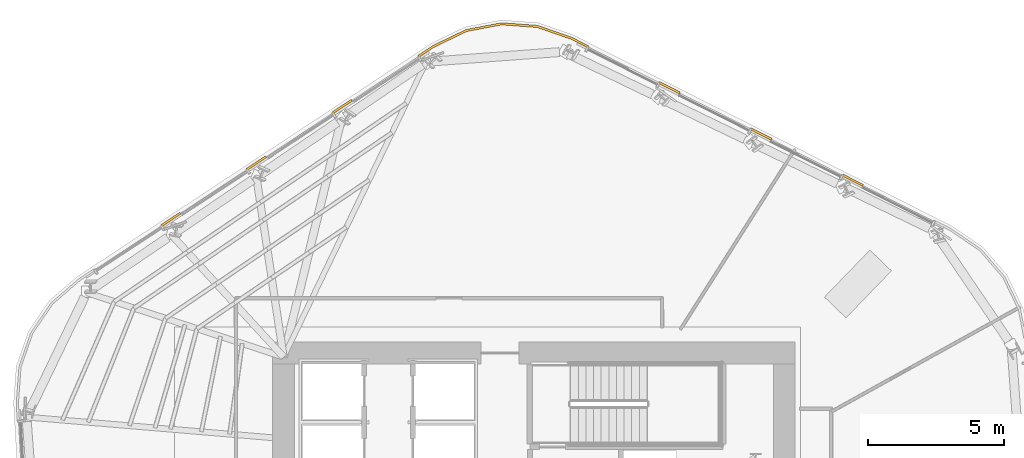
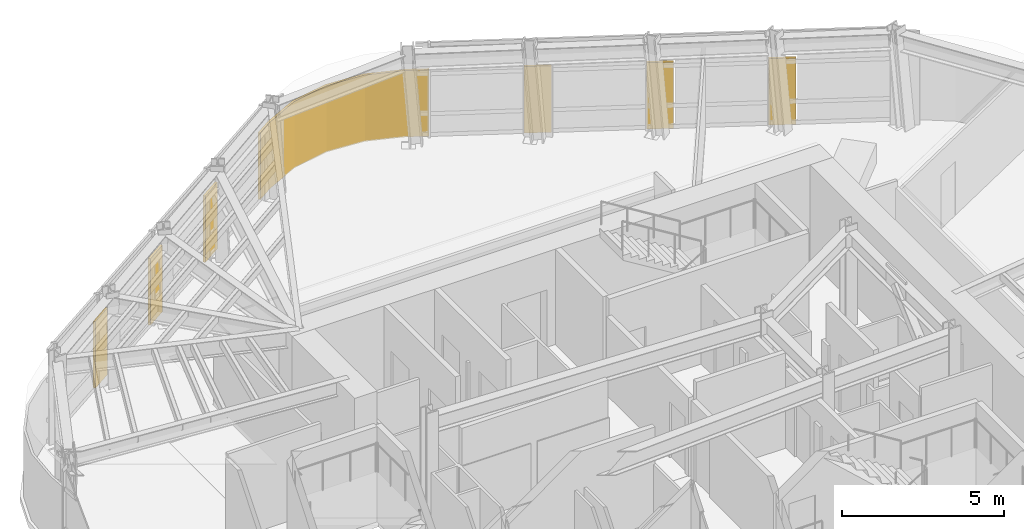
# One storey, part 14 of 15: 7 coverings.
"""IFC4 building model written with IfcOpenShell, lengths in metres."""

from ifc_helpers import new_model, si_unit, direction, frame, origin, place, context, subcontext, project, spatial, polyline, outline, extrude, material, layer, layer_set, type_object, element, save


model = new_model("IFC4")

# Units and contexts
model_context = context("Model", 3, precision=1e-05, world=origin(), true_north=direction((0.0, 1.0)))
body_context = subcontext(model_context, "Body", "Model", "MODEL_VIEW")
ifc_project = project(units=[si_unit("LENGTHUNIT", "METRE"), si_unit("AREAUNIT", "SQUARE_METRE"), si_unit("VOLUMEUNIT", "CUBIC_METRE"), si_unit("PLANEANGLEUNIT", "RADIAN"), si_unit("MASSUNIT", "GRAM", prefix="KILO")], contexts=[model_context])

# Site, building, storey
site_placement = place(None, origin())
site = spatial("IfcSite", under=ifc_project, at=site_placement, CompositionType="ELEMENT")
building_placement = place(site_placement, origin())
building = spatial("IfcBuilding", under=site, at=building_placement, Name="Valkerne Bourse Tower", CompositionType="ELEMENT")
storey_placement = place(building_placement, frame((0.0, 0.0, 166.60009765625)))
storey = spatial("IfcBuildingStorey", under=building, at=storey_placement, Name="L42", CompositionType="ELEMENT", Elevation=166.60009765625)

# Coverings
ifc_material = material(Name="Bronze Anodised Aluminium AA 6063-T6", Category="aluminium")
ifc_layer = layer(ifc_material, 0.06005859375)
ifc_layer_set = layer_set([ifc_layer], Name="Bronze Anodised Aluminium AA 6063-T6")
covering_type = type_object("IfcCoveringType", Name="COV-CRN-ALUM", PredefinedType="CLADDING", material=ifc_layer_set)
covering_1_placement = place(storey_placement, origin())
element("IfcCovering", 1, at=covering_1_placement, inside=storey, type_object=covering_type, Name="L42 Wind-Shaped Corner Aluminium Cladding 14", PredefinedType="CLADDING", context=body_context, shape_type="SweptSolid", body=[
    extrude(outline(polyline([(33.781005859375, 40.71630859375), (33.82470703125, 40.6494140625), (33.123291015625, 40.187255859375), (33.079345703125, 40.254150390625), (33.781005859375, 40.71630859375)])), origin(), (0.0, 0.0, 1.0), 2.5),
])
covering_2_placement = place(storey_placement, origin())
element("IfcCovering", 2, at=covering_2_placement, inside=storey, type_object=covering_type, Name="L42 Wind-Shaped Corner Aluminium Cladding 15", PredefinedType="CLADDING", context=body_context, shape_type="SweptSolid", body=[
    extrude(outline(polyline([(36.929931640625, 42.790771484375), (36.97412109375, 42.723876953125), (36.2724609375, 42.26171875), (36.228515625, 42.32861328125), (36.929931640625, 42.790771484375)])), origin(), (0.0, 0.0, 1.0), 2.5),
])
covering_3_placement = place(storey_placement, origin())
element("IfcCovering", 3, at=covering_3_placement, inside=storey, type_object=covering_type, Name="L42 Wind-Shaped Corner Aluminium Cladding 16", PredefinedType="CLADDING", context=body_context, shape_type="SweptSolid", body=[
    extrude(outline(polyline([(40.0791015625, 44.864990234375), (40.123046875, 44.79833984375), (39.421630859375, 44.336181640625), (39.377685546875, 44.403076171875), (40.0791015625, 44.864990234375)])), origin(), (0.0, 0.0, 1.0), 2.5),
])
covering_4_placement = place(storey_placement, origin())
element("IfcCovering", 4, at=covering_4_placement, inside=storey, type_object=covering_type, Name="L42 Wind-Shaped Corner Aluminium Cladding 17", PredefinedType="CLADDING", context=body_context, shape_type="SweptSolid", body=[
    extrude(outline(polyline([(43.095458984375, 46.85205078125), (44.2998046875, 47.43408203125), (45.607421875, 47.68359375), (46.934814453125, 47.586181640625), (48.1982421875, 47.146240234375), (48.80615234375, 46.839599609375), (48.770263671875, 46.76806640625), (48.1669921875, 47.072509765625), (46.918701171875, 47.507080078125), (45.612060546875, 47.60302734375), (44.3251953125, 47.357666015625), (43.135009765625, 46.7822265625), (42.57080078125, 46.41064453125), (42.52685546875, 46.4775390625), (43.095458984375, 46.85205078125)])), origin(), (0.0, 0.0, 1.0), 2.5),
])
covering_5_placement = place(storey_placement, origin())
element("IfcCovering", 5, at=covering_5_placement, inside=storey, type_object=covering_type, Name="L42 Wind-Shaped Corner Aluminium Cladding 18", PredefinedType="CLADDING", context=body_context, shape_type="SweptSolid", body=[
    extrude(outline(polyline([(52.1728515625, 45.140625), (52.136962890625, 45.0693359375), (51.386962890625, 45.44775390625), (51.423095703125, 45.51904296875), (52.1728515625, 45.140625)])), origin(), (0.0, 0.0, 1.0), 2.5),
])
covering_6_placement = place(storey_placement, origin())
element("IfcCovering", 6, at=covering_6_placement, inside=storey, type_object=covering_type, Name="L42 Wind-Shaped Corner Aluminium Cladding 19", PredefinedType="CLADDING", context=body_context, shape_type="SweptSolid", body=[
    extrude(outline(polyline([(55.53955078125, 43.44189453125), (55.503662109375, 43.37060546875), (54.753662109375, 43.748779296875), (54.789794921875, 43.8203125), (55.53955078125, 43.44189453125)])), origin(), (0.0, 0.0, 1.0), 2.5),
])
covering_7_placement = place(storey_placement, origin())
element("IfcCovering", 7, at=covering_7_placement, inside=storey, type_object=covering_type, Name="L42 Wind-Shaped Corner Aluminium Cladding 20", PredefinedType="CLADDING", context=body_context, shape_type="SweptSolid", body=[
    extrude(outline(polyline([(58.90625, 41.7431640625), (58.870361328125, 41.671875), (58.120361328125, 42.05029296875), (58.15625, 42.12158203125), (58.90625, 41.7431640625)])), origin(), (0.0, 0.0, 1.0), 2.5),
])

save(model, "model.ifc")
